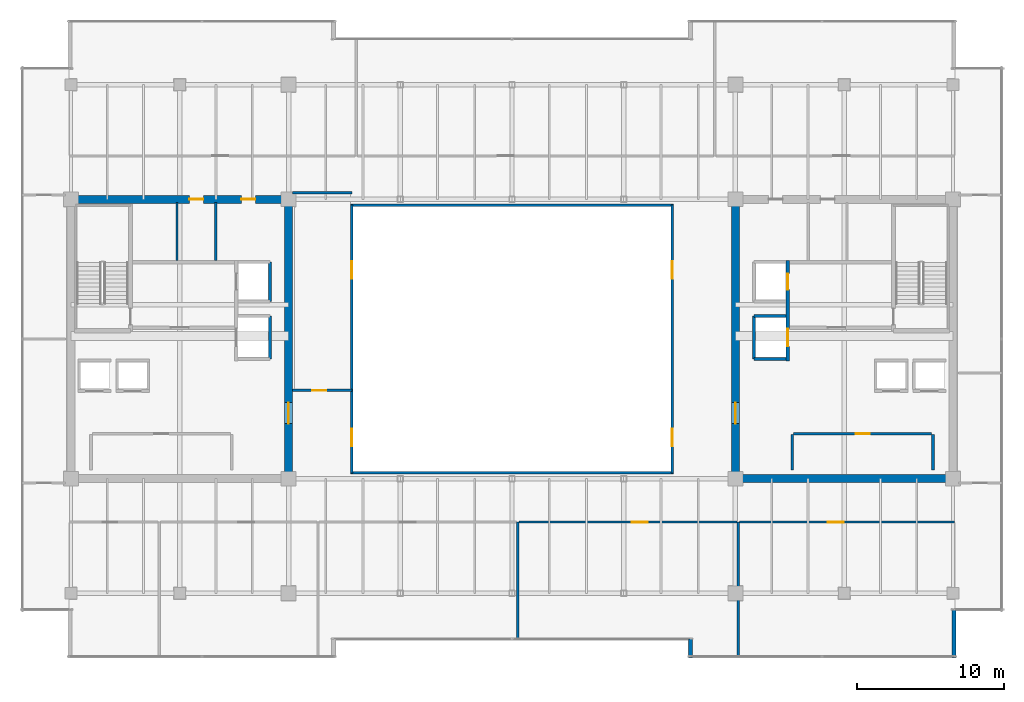
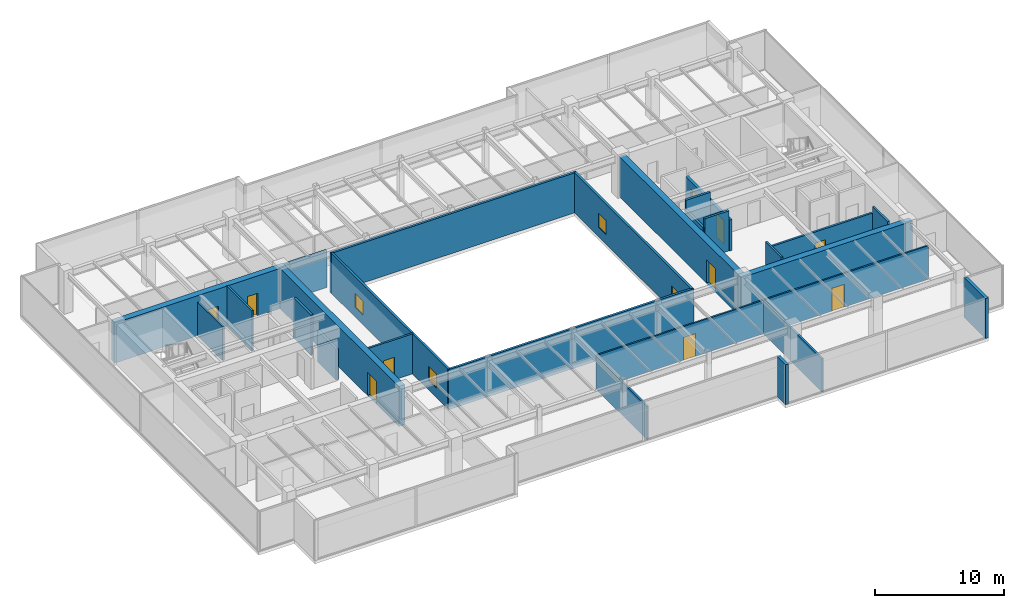
# One storey, part 29 of 36: 27 walls, 10 doors, 4 windows, 14 openings.
"""IFC4 building model written with IfcOpenShell, lengths in metres."""

from ifc_helpers import new_model, si_unit, direction, frame, frame_2d, origin, place, context, subcontext, project, spatial, rectangle, extrude, source, transform, mapped, material, layer, layer_set, type_object, type_shapes, element, fill, save


model = new_model("IFC4")

# Units and contexts
model_context = context("Model", 3, precision=1e-05, world=origin(), true_north=direction((0.0, 1.0)))
body_context = subcontext(model_context, "Body", "Model", "MODEL_VIEW")
ifc_project = project(units=[si_unit("LENGTHUNIT", "METRE"), si_unit("AREAUNIT", "SQUARE_METRE"), si_unit("VOLUMEUNIT", "CUBIC_METRE"), si_unit("PLANEANGLEUNIT", "RADIAN"), si_unit("MASSUNIT", "GRAM", prefix="KILO")], contexts=[model_context])

# Site, building, storey
site_placement = place(None, origin())
site = spatial("IfcSite", under=ifc_project, at=site_placement, CompositionType="ELEMENT")
building_placement = place(site_placement, origin())
building = spatial("IfcBuilding", under=site, at=building_placement, Name="Haelvirn Gate Laboratories", CompositionType="ELEMENT")
storey_placement = place(building_placement, frame((0.0, 0.0, 262.89990234375)))
storey = spatial("IfcBuildingStorey", under=building, at=storey_placement, Name="L63", CompositionType="ELEMENT", Elevation=262.89990234375)

# Walls
ifc_material_1 = material(Name="Thermally-broken bronze aluminium rainscreen & mineral wool", Category="aluminium")
ifc_layer_1 = layer(ifc_material_1, 0.280029296875, Name="EW-TERR-280")
ifc_layer_set_1 = layer_set([ifc_layer_1], Name="Thermally-broken bronze aluminium rainscreen & mineral wool")
wall_type_1 = type_object("IfcWallType", Name="EW-TERR-280", PredefinedType="STANDARD", material=ifc_layer_set_1)
wall_1_placement = place(storey_placement, frame((49.5400390625, 3.89306640625, 0.0), z_axis=(0.0, 0.0, 1.0), x_axis=(0.0, -1.0, 0.0)))
element("IfcWall", 1, at=wall_1_placement, inside=storey, type_object=wall_type_1, Name="L63 Atrium Recess Bronze Return Wall 03", PredefinedType="STANDARD", context=body_context, shape_type="SweptSolid", body=[
    extrude(rectangle(XDim=1.29296875, YDim=0.280029296875, at=frame_2d((0.646484375, 0.0))), origin(), (0.0, 0.0, 1.0), 3.800048828125),
])
wall_2_placement = place(storey_placement, frame((67.4599609375, 2.60009765625, 0.0), z_axis=(0.0, 0.0, 1.0), x_axis=(0.0, 1.0, 0.0)))
element("IfcWall", 2, at=wall_2_placement, inside=storey, type_object=wall_type_1, Name="L63 Atrium Recess Bronze Return Wall 05", PredefinedType="STANDARD", context=body_context, shape_type="SweptSolid", body=[
    extrude(rectangle(XDim=3.287841796875, YDim=0.280029296875, at=frame_2d((1.64404296875, 0.0))), origin(), (0.0, 0.0, 1.0), 3.800048828125),
])
ifc_material_2 = material(Name="Double-layer acoustic gypsum laboratory partition", Category="gypsum")
ifc_layer_2 = layer(ifc_material_2, 0.159912109375, Name="IW-ACOUST-160")
ifc_layer_set_2 = layer_set([ifc_layer_2], Name="Double-layer acoustic gypsum laboratory partition")
wall_type_2 = type_object("IfcWallType", Name="IW-ACOUST-160", PredefinedType="PARTITIONING", material=ifc_layer_set_2)
wall_3_placement = place(storey_placement, frame((37.800048828125, 3.909912109375, 0.0), z_axis=(0.0, 0.0, 1.0), x_axis=(0.0, 1.0, 0.0)))
element("IfcWall", 3, at=wall_3_placement, inside=storey, type_object=wall_type_2, Name="L63 Interior Wall IW-L63-SDIV-03", PredefinedType="PARTITIONING", context=body_context, shape_type="SweptSolid", body=[
    extrude(rectangle(XDim=7.93017578125, YDim=0.159912109375, at=frame_2d((3.965087890625, 0.0))), origin(), (0.0, 0.0, 1.0), 3.135009765625),
])
wall_4_placement = place(storey_placement, frame((52.800048828125, 2.7099609375, 0.0), z_axis=(0.0, 0.0, 1.0), x_axis=(0.0, 1.0, 0.0)))
element("IfcWall", 4, at=wall_4_placement, inside=storey, type_object=wall_type_2, Name="L63 Interior Wall IW-L63-SDIV-04", PredefinedType="PARTITIONING", context=body_context, shape_type="SweptSolid", body=[
    extrude(rectangle(XDim=9.130126953125, YDim=0.159912109375, at=frame_2d((4.56494140625, 0.0))), origin(), (0.0, 0.0, 1.0), 3.135009765625),
])
ifc_material_3 = material(Name="Fire-rated acoustic gypsum board partition", Category="gypsum")
ifc_layer_3 = layer(ifc_material_3, 0.175048828125, Name="IW-ACOUST-180")
ifc_layer_set_3 = layer_set([ifc_layer_3], Name="Fire-rated acoustic gypsum board partition")
wall_type_3 = type_object("IfcWallType", Name="IW-ACOUST-180", PredefinedType="PARTITIONING", material=ifc_layer_set_3)
wall_5_placement = place(storey_placement, frame((22.47509765625, 34.260009765625, 0.0), z_axis=(0.0, 0.0, 1.0), x_axis=(1.0, 0.0, 0.0)))
element("IfcWall", 5, at=wall_5_placement, inside=storey, type_object=wall_type_3, Name="L63 Interior Wall IW-L63-WPOD-N", PredefinedType="PARTITIONING", context=body_context, shape_type="SweptSolid", body=[
    extrude(rectangle(XDim=4.02490234375, YDim=0.175048828125, at=frame_2d((2.012451171875, 0.0))), origin(), (0.0, 0.0, 1.0), 3.53515625),
])

# Wall, opening, door
wall_6_placement = place(storey_placement, frame((22.47509765625, 20.800048828125, 0.0), z_axis=(0.0, 0.0, 1.0), x_axis=(1.0, 0.0, 0.0)))
wall_6 = element("IfcWall", 6, at=wall_6_placement, inside=storey, type_object=wall_type_3, Name="L63 Interior Wall IW-L63-WPOD-S", PredefinedType="PARTITIONING", context=body_context, shape_type="SweptSolid", body=[
    extrude(rectangle(XDim=4.02490234375, YDim=0.175048828125, at=frame_2d((2.012451171875, 0.0))), origin(), (0.0, 0.0, 1.0), 3.800048828125),
])
opening_1_placement = place(wall_6_placement, frame((1.35009765625, 0.0, 0.0)))
opening_1 = element("IfcOpeningElement", 7, at=opening_1_placement, cuts=wall_6, Name="Opening FD4", PredefinedType="OPENING", context=body_context, shape_type="SweptSolid", body=[
    extrude(rectangle(XDim=0.949951171875, YDim=2.14990234375, at=frame_2d((0.47509765625, 1.074951171875))), frame((0.0, 0.09765625, 0.0), z_axis=(0.0, -1.0, 0.0), x_axis=(1.0, 0.0, 0.0)), (0.0, 0.0, 1.0), 0.195068359375),
])
ifc_material_4 = material(Name="Fire-rated steel SM355 core service door", Category="steel")
door_type_1 = type_object("IfcDoorType", Name="DR-FD-950", OperationType="NOTDEFINED", PredefinedType="DOOR", material=ifc_material_4)
shared_shape_1 = source(origin(), body_context, "Body", "SweptSolid", [
    extrude(rectangle(XDim=0.949951171875, YDim=2.14990234375, at=frame_2d((0.47509765625, 1.074951171875))), frame((0.0, 0.02490234375, 0.0), z_axis=(0.0, -1.0, 0.0), x_axis=(1.0, 0.0, 0.0)), (0.0, 0.0, 1.0), 0.050048828125),
])
type_shapes(door_type_1, [shared_shape_1])
door_1_placement = place(opening_1_placement, origin())
door_1 = element("IfcDoor", 8, at=door_1_placement, inside=storey, type_object=door_type_1, Name="L63 High-Zone Computational Suite Door", OperationType="SINGLE_SWING_RIGHT", OverallHeight=2.14990234375, OverallWidth=0.949951171875, PredefinedType="DOOR", context=body_context, shape_type="MappedRepresentation", body=[
    mapped(shared_shape_1, transform((0.0, 0.0, 0.0), scale=1.0)),
])
fill(opening_1, door_1)

# Wall, openings, windows
ifc_material_5 = material(Name="Tempered fire-rated borosilicate glass & anodised aluminium", Category="aluminium")
ifc_layer_4 = layer(ifc_material_5, 0.195068359375, Name="IW-GLAZ-200")
ifc_layer_set_4 = layer_set([ifc_layer_4], Name="Tempered fire-rated borosilicate glass & anodised aluminium")
wall_type_4 = type_object("IfcWallType", Name="IW-GLAZ-200", PredefinedType="SOLIDWALL", material=ifc_layer_set_4)
wall_7_placement = place(storey_placement, frame((26.5, 15.199951171875, 0.0), z_axis=(0.0, 0.0, 1.0), x_axis=(0.0, 1.0, 0.0)))
wall_7 = element("IfcWall", 9, at=wall_7_placement, inside=storey, type_object=wall_type_4, Name="L63 Interior Wall IW-L63-ATRIUM-W", PredefinedType="SOLIDWALL", context=body_context, shape_type="SweptSolid", body=[
    extrude(rectangle(XDim=18.199951171875, YDim=0.195068359375, at=frame_2d((9.10009765625, 0.0))), origin(), (0.0, 0.0, 1.0), 3.800048828125),
])
opening_2_placement = place(wall_7_placement, frame((1.800048828125, 0.0, 0.89990234375)))
opening_2 = element("IfcOpeningElement", 10, at=opening_2_placement, cuts=wall_7, Name="Opening W6", PredefinedType="OPENING", context=body_context, shape_type="SweptSolid", body=[
    extrude(rectangle(XDim=1.199951171875, YDim=1.35009765625, at=frame_2d((0.60009765625, 0.675048828125))), frame((0.0, 0.107421875, 0.0), z_axis=(0.0, -1.0, 0.0), x_axis=(1.0, 0.0, 0.0)), (0.0, 0.0, 1.0), 0.215087890625),
])
opening_3_placement = place(wall_7_placement, frame((13.199951171875, 0.0, 0.89990234375)))
opening_3 = element("IfcOpeningElement", 11, at=opening_3_placement, cuts=wall_7, Name="Opening W6", PredefinedType="OPENING", context=body_context, shape_type="SweptSolid", body=[
    extrude(rectangle(XDim=1.199951171875, YDim=1.35009765625, at=frame_2d((0.60009765625, 0.675048828125))), frame((0.0, 0.107421875, 0.0), z_axis=(0.0, -1.0, 0.0), x_axis=(1.0, 0.0, 0.0)), (0.0, 0.0, 1.0), 0.215087890625),
])
ifc_material_6 = material(Name="Fire-rated EI 120 borosilicate atrium vision glazing", Category="glass")
window_type = type_object("IfcWindowType", Name="WN-ATR-1200", PartitioningType="SINGLE_PANEL", PredefinedType="WINDOW", material=ifc_material_6)
shared_shape_2 = source(origin(), body_context, "Body", "SweptSolid", [
    extrude(rectangle(XDim=1.199951171875, YDim=1.35009765625, at=frame_2d((0.60009765625, 0.675048828125))), frame((0.0, 0.030029296875, 0.0), z_axis=(0.0, -1.0, 0.0), x_axis=(1.0, 0.0, 0.0)), (0.0, 0.0, 1.0), 0.06005859375),
])
type_shapes(window_type, [shared_shape_2])
window_1_placement = place(opening_2_placement, origin())
window_1 = element("IfcWindow", 12, at=window_1_placement, inside=storey, type_object=window_type, Name="L63 Atrium Observation Window 1", OverallHeight=1.35009765625, OverallWidth=1.199951171875, PartitioningType="SINGLE_PANEL", PredefinedType="WINDOW", context=body_context, shape_type="MappedRepresentation", body=[
    mapped(shared_shape_2, transform((0.0, 0.0, 0.0), scale=1.0)),
])
fill(opening_2, window_1)
window_2_placement = place(opening_3_placement, origin())
window_2 = element("IfcWindow", 13, at=window_2_placement, inside=storey, type_object=window_type, Name="L63 Atrium Observation Window 2", OverallHeight=1.35009765625, OverallWidth=1.199951171875, PartitioningType="SINGLE_PANEL", PredefinedType="WINDOW", context=body_context, shape_type="MappedRepresentation", body=[
    mapped(shared_shape_2, transform((0.0, 0.0, 0.0), scale=1.0)),
])
fill(opening_3, window_2)

wall_8_placement = place(storey_placement, frame((48.300048828125, 15.199951171875, 0.0), z_axis=(0.0, 0.0, 1.0), x_axis=(0.0, 1.0, 0.0)))
wall_8 = element("IfcWall", 14, at=wall_8_placement, inside=storey, type_object=wall_type_4, Name="L63 Interior Wall IW-L63-ATRIUM-E", PredefinedType="SOLIDWALL", context=body_context, shape_type="SweptSolid", body=[
    extrude(rectangle(XDim=18.199951171875, YDim=0.195068359375, at=frame_2d((9.10009765625, 0.0))), origin(), (0.0, 0.0, 1.0), 3.800048828125),
])
opening_4_placement = place(wall_8_placement, frame((1.800048828125, 0.0, 0.89990234375)))
opening_4 = element("IfcOpeningElement", 15, at=opening_4_placement, cuts=wall_8, Name="Opening W6", PredefinedType="OPENING", context=body_context, shape_type="SweptSolid", body=[
    extrude(rectangle(XDim=1.199951171875, YDim=1.35009765625, at=frame_2d((0.60009765625, 0.675048828125))), frame((0.0, 0.107421875, 0.0), z_axis=(0.0, -1.0, 0.0), x_axis=(1.0, 0.0, 0.0)), (0.0, 0.0, 1.0), 0.215087890625),
])
opening_5_placement = place(wall_8_placement, frame((13.199951171875, 0.0, 0.89990234375)))
opening_5 = element("IfcOpeningElement", 16, at=opening_5_placement, cuts=wall_8, Name="Opening W6", PredefinedType="OPENING", context=body_context, shape_type="SweptSolid", body=[
    extrude(rectangle(XDim=1.199951171875, YDim=1.35009765625, at=frame_2d((0.60009765625, 0.675048828125))), frame((0.0, 0.107421875, 0.0), z_axis=(0.0, -1.0, 0.0), x_axis=(1.0, 0.0, 0.0)), (0.0, 0.0, 1.0), 0.215087890625),
])
window_3_placement = place(opening_4_placement, origin())
window_3 = element("IfcWindow", 17, at=window_3_placement, inside=storey, type_object=window_type, Name="L63 Atrium Observation Window 1", OverallHeight=1.35009765625, OverallWidth=1.199951171875, PartitioningType="SINGLE_PANEL", PredefinedType="WINDOW", context=body_context, shape_type="MappedRepresentation", body=[
    mapped(shared_shape_2, transform((0.0, 0.0, 0.0), scale=1.0)),
])
fill(opening_4, window_3)
window_4_placement = place(opening_5_placement, origin())
window_4 = element("IfcWindow", 18, at=window_4_placement, inside=storey, type_object=window_type, Name="L63 Atrium Observation Window 2", OverallHeight=1.35009765625, OverallWidth=1.199951171875, PartitioningType="SINGLE_PANEL", PredefinedType="WINDOW", context=body_context, shape_type="MappedRepresentation", body=[
    mapped(shared_shape_2, transform((0.0, 0.0, 0.0), scale=1.0)),
])
fill(opening_5, window_4)

# Walls
for number, where, z_axis, x_axis, name in (
    (19, (26.39990234375, 15.199951171875, 0.0), (0.0, 0.0, 1.0), (1.0, 0.0, 0.0), "L63 Interior Wall IW-L63-ATRIUM-S"),
    (20, (26.39990234375, 33.39990234375, 0.0), (0.0, 0.0, 1.0), (1.0, 0.0, 0.0), "L63 Interior Wall IW-L63-ATRIUM-N"),
):
    element("IfcWall", number, at=place(storey_placement, frame(where, z_axis=z_axis, x_axis=x_axis)), inside=storey, type_object=wall_type_4, Name=name, PredefinedType="SOLIDWALL", context=body_context, shape_type="SweptSolid", body=[
        extrude(rectangle(XDim=22.0, YDim=0.195068359375, at=frame_2d((11.0, 0.0))), origin(), (0.0, 0.0, 1.0), 3.800048828125),
    ])

# Wall, opening, door
ifc_material_7 = material(Name="Acoustic mineral-wool gypsum board partition", Category="gypsum")
ifc_layer_5 = layer(ifc_material_7, 0.139892578125, Name="IW-PART-140")
ifc_layer_set_5 = layer_set([ifc_layer_5], Name="Acoustic mineral-wool gypsum board partition")
wall_type_5 = type_object("IfcWallType", Name="IW-PART-140", PredefinedType="PARTITIONING", material=ifc_layer_set_5)
wall_9_placement = place(storey_placement, frame((37.8798828125, 11.840087890625, 0.0), z_axis=(0.0, 0.0, 1.0), x_axis=(1.0, 0.0, 0.0)))
wall_9 = element("IfcWall", 21, at=wall_9_placement, inside=storey, type_object=wall_type_5, Name="L63 Interior Wall IW-L63-SCORR-04", PredefinedType="PARTITIONING", context=body_context, shape_type="SweptSolid", body=[
    extrude(rectangle(XDim=14.840087890625, YDim=0.139892578125, at=frame_2d((7.419921875, 0.0))), origin(), (0.0, 0.0, 1.0), 3.197021484375),
])
opening_6_placement = place(wall_9_placement, frame((7.65234375, 0.0, 0.0)))
opening_6 = element("IfcOpeningElement", 22, at=opening_6_placement, cuts=wall_9, Name="Opening D1", PredefinedType="OPENING", context=body_context, shape_type="SweptSolid", body=[
    extrude(rectangle(XDim=1.10009765625, YDim=2.179931640625, at=frame_2d((0.550048828125, 1.08984375))), frame((0.0, 0.080078125, 0.0), z_axis=(0.0, -1.0, 0.0), x_axis=(1.0, 0.0, 0.0)), (0.0, 0.0, 1.0), 0.159912109375),
])
ifc_material_8 = material(Name="Vision-panel acoustic solid-core timber lab door", Category="wood")
door_type_2 = type_object("IfcDoorType", Name="DR-LAB-1100", OperationType="NOTDEFINED", PredefinedType="DOOR", material=ifc_material_8)
shared_shape_3 = source(origin(), body_context, "Body", "SweptSolid", [
    extrude(rectangle(XDim=1.10009765625, YDim=2.179931640625, at=frame_2d((0.550048828125, 1.08984375))), frame((0.0, 0.02490234375, 0.0), z_axis=(0.0, -1.0, 0.0), x_axis=(1.0, 0.0, 0.0)), (0.0, 0.0, 1.0), 0.050048828125),
])
type_shapes(door_type_2, [shared_shape_3])
door_2_placement = place(opening_6_placement, origin())
door_2 = element("IfcDoor", 23, at=door_2_placement, inside=storey, type_object=door_type_2, Name="L63 Instrumentation Prototyping Workshop Door S4", OperationType="SINGLE_SWING_LEFT", OverallHeight=2.179931640625, OverallWidth=1.10009765625, PredefinedType="DOOR", context=body_context, shape_type="MappedRepresentation", body=[
    mapped(shared_shape_3, transform((0.0, 0.0, 0.0), scale=1.0)),
])
fill(opening_6, door_2)

wall_10_placement = place(storey_placement, frame((52.8798828125, 11.840087890625, 0.0), z_axis=(0.0, 0.0, 1.0), x_axis=(1.0, 0.0, 0.0)))
wall_10 = element("IfcWall", 24, at=wall_10_placement, inside=storey, type_object=wall_type_5, Name="L63 Interior Wall IW-L63-SCORR-05", PredefinedType="PARTITIONING", context=body_context, shape_type="SweptSolid", body=[
    extrude(rectangle(XDim=14.610107421875, YDim=0.139892578125, at=frame_2d((7.30517578125, 0.0))), origin(), (0.0, 0.0, 1.0), 3.197021484375),
])
opening_7_placement = place(wall_10_placement, frame((5.986328125, 0.0, 0.0)))
opening_7 = element("IfcOpeningElement", 25, at=opening_7_placement, cuts=wall_10, Name="Opening D1", PredefinedType="OPENING", context=body_context, shape_type="SweptSolid", body=[
    extrude(rectangle(XDim=1.10009765625, YDim=2.179931640625, at=frame_2d((0.550048828125, 1.08984375))), frame((0.0, 0.080078125, 0.0), z_axis=(0.0, -1.0, 0.0), x_axis=(1.0, 0.0, 0.0)), (0.0, 0.0, 1.0), 0.159912109375),
])
door_3_placement = place(opening_7_placement, origin())
door_3 = element("IfcDoor", 26, at=door_3_placement, inside=storey, type_object=door_type_2, Name="L63 Researcher Break Pantry Door S5", OperationType="SINGLE_SWING_RIGHT", OverallHeight=2.179931640625, OverallWidth=1.10009765625, PredefinedType="DOOR", context=body_context, shape_type="MappedRepresentation", body=[
    mapped(shared_shape_3, transform((0.0, 0.0, 0.0), scale=1.0)),
])
fill(opening_7, door_3)

# Walls
ifc_material_9 = material(Name="Cement-board restroom plumbing chase wall", Category="gypsum")
ifc_layer_6 = layer(ifc_material_9, 0.155029296875, Name="IW-PLUMB-160")
ifc_layer_set_6 = layer_set([ifc_layer_6], Name="Cement-board restroom plumbing chase wall")
wall_type_6 = type_object("IfcWallType", Name="IW-PLUMB-160", PredefinedType="PLUMBINGWALL", material=ifc_layer_set_6)
wall_11_placement = place(storey_placement, frame((14.610107421875, 29.64990234375, 0.0), z_axis=(0.0, 0.0, 1.0), x_axis=(0.0, 1.0, 0.0)))
element("IfcWall", 27, at=wall_11_placement, inside=storey, type_object=wall_type_6, Name="L63 Interior Wall IW-L63-W-CDIV-0", PredefinedType="PLUMBINGWALL", context=body_context, shape_type="SweptSolid", body=[
    extrude(rectangle(XDim=3.93017578125, YDim=0.155029296875, at=frame_2d((1.965087890625, 0.0))), origin(), (0.0, 0.0, 1.0), 3.197021484375),
])
wall_12_placement = place(storey_placement, frame((17.239990234375, 29.64990234375, 0.0), z_axis=(0.0, 0.0, 1.0), x_axis=(0.0, 1.0, 0.0)))
element("IfcWall", 28, at=wall_12_placement, inside=storey, type_object=wall_type_6, Name="L63 Interior Wall IW-L63-W-CDIV-1", PredefinedType="PLUMBINGWALL", context=body_context, shape_type="SweptSolid", body=[
    extrude(rectangle(XDim=3.93017578125, YDim=0.155029296875, at=frame_2d((1.965087890625, 0.0))), origin(), (0.0, 0.0, 1.0), 3.800048828125),
])

# Wall, opening, door
ifc_material_10 = material(Name="Concrete C40/50", Category="concrete")
ifc_layer_7 = layer(ifc_material_10, 0.179931640625, Name="IW-SHAFT-180")
ifc_layer_set_7 = layer_set([ifc_layer_7], Name="Concrete C40/50")
wall_type_7 = type_object("IfcWallType", Name="IW-SHAFT-180", PredefinedType="SOLIDWALL", material=ifc_layer_set_7)
wall_13_placement = place(storey_placement, frame((56.550048828125, 17.85009765625, 0.0), z_axis=(0.0, 0.0, 1.0), x_axis=(1.0, 0.0, 0.0)))
wall_13 = element("IfcWall", 29, at=wall_13_placement, inside=storey, type_object=wall_type_7, Name="L63 Interior Wall IW-L63-E-FREED-HN-1", PredefinedType="SOLIDWALL", context=body_context, shape_type="SweptSolid", body=[
    extrude(rectangle(XDim=9.39990234375, YDim=0.179931640625, at=frame_2d((4.699951171875, 0.0))), origin(), (0.0, 0.0, 1.0), 3.197021484375),
])
opening_8_placement = place(wall_13_placement, frame((4.22509765625, 0.0, 0.0)))
opening_8 = element("IfcOpeningElement", 30, at=opening_8_placement, cuts=wall_13, Name="Opening FD4", PredefinedType="OPENING", context=body_context, shape_type="SweptSolid", body=[
    extrude(rectangle(XDim=0.949951171875, YDim=2.14990234375, at=frame_2d((0.47509765625, 1.074951171875))), frame((0.0, 0.10009765625, 0.0), z_axis=(0.0, -1.0, 0.0), x_axis=(1.0, 0.0, 0.0)), (0.0, 0.0, 1.0), 0.199951171875),
])
door_4_placement = place(opening_8_placement, origin())
door_4 = element("IfcDoor", 31, at=door_4_placement, inside=storey, type_object=door_type_1, Name="L63 Core Metrology & Calibration Laboratory Door", OperationType="SINGLE_SWING_LEFT", OverallHeight=2.14990234375, OverallWidth=0.949951171875, PredefinedType="DOOR", context=body_context, shape_type="MappedRepresentation", body=[
    mapped(shared_shape_1, transform((0.0, 0.0, 0.0), scale=1.0)),
])
fill(opening_8, door_4)

# Walls
for number, where, z_axis, x_axis, name in (
    (32, (56.4599609375, 15.39990234375, 0.0), (0.0, 0.0, 1.0), (0.0, 1.0, 0.0), "L63 Interior Wall IW-L63-E-FREED-HE-1"),
    (33, (66.0400390625, 15.39990234375, 0.0), (0.0, 0.0, 1.0), (0.0, 1.0, 0.0), "L63 Interior Wall IW-L63-E-FREED-HW-1"),
):
    element("IfcWall", number, at=place(storey_placement, frame(where, z_axis=z_axis, x_axis=x_axis)), inside=storey, type_object=wall_type_7, Name=name, PredefinedType="SOLIDWALL", context=body_context, shape_type="SweptSolid", body=[
        extrude(rectangle(XDim=2.400146484375, YDim=0.179931640625, at=frame_2d((1.2001953125, 0.0))), origin(), (0.0, 0.0, 1.0), 3.800048828125),
    ])
ifc_layer_8 = layer(ifc_material_10, 0.199951171875, Name="IW-SHAFT-200")
ifc_layer_set_8 = layer_set([ifc_layer_8], Name="Concrete C40/50")
wall_type_8 = type_object("IfcWallType", Name="IW-SHAFT-200", PredefinedType="SOLIDWALL", material=ifc_layer_set_8)
wall_14_placement = place(storey_placement, frame((20.949951171875, 26.85009765625, 0.0), z_axis=(0.0, 0.0, 1.0), x_axis=(0.0, 1.0, 0.0)))
element("IfcWall", 34, at=wall_14_placement, inside=storey, type_object=wall_type_8, Name="L63 Interior Wall IW-L63-FL1-BK", PredefinedType="SOLIDWALL", context=body_context, shape_type="SweptSolid", body=[
    extrude(rectangle(XDim=2.699951171875, YDim=0.199951171875, at=frame_2d((1.35009765625, 0.0))), origin(), (0.0, 0.0, 1.0), 3.800048828125),
])
for number, where, z_axis, x_axis, name in (
    (35, (20.949951171875, 22.949951171875, 0.0), (0.0, 0.0, 1.0), (0.0, 1.0, 0.0), "L63 Interior Wall IW-L63-SL1-BK"),
    (36, (53.85009765625, 22.949951171875, 0.0), (0.0, 0.0, 1.0), (0.0, 1.0, 0.0), "L63 Interior Wall IW-L63-SL2-BK"),
):
    element("IfcWall", number, at=place(storey_placement, frame(where, z_axis=z_axis, x_axis=x_axis)), inside=storey, type_object=wall_type_8, Name=name, PredefinedType="SOLIDWALL", context=body_context, shape_type="SweptSolid", body=[
        extrude(rectangle(XDim=2.900146484375, YDim=0.199951171875, at=frame_2d((1.4501953125, 0.0))), origin(), (0.0, 0.0, 1.0), 2.93505859375),
    ])
for number, where, z_axis, x_axis, name in (
    (37, (53.85009765625, 25.85009765625, 0.0), (0.0, 0.0, 1.0), (1.0, 0.0, 0.0), "L63 Interior Wall IW-L63-SL2-N"),
    (38, (53.85009765625, 22.949951171875, 0.0), (0.0, 0.0, 1.0), (1.0, 0.0, 0.0), "L63 Interior Wall IW-L63-SL2-S"),
):
    element("IfcWall", number, at=place(storey_placement, frame(where, z_axis=z_axis, x_axis=x_axis)), inside=storey, type_object=wall_type_8, Name=name, PredefinedType="SOLIDWALL", context=body_context, shape_type="SweptSolid", body=[
        extrude(rectangle(XDim=2.18994140625, YDim=0.199951171875, at=frame_2d((1.094970703125, 0.0))), origin(), (0.0, 0.0, 1.0), 3.800048828125),
    ])

# Wall, openings, doors
ifc_layer_9 = layer(ifc_material_10, 0.239990234375, Name="IW-SHAFT-240")
ifc_layer_set_9 = layer_set([ifc_layer_9], Name="Concrete C40/50")
wall_type_9 = type_object("IfcWallType", Name="IW-SHAFT-240", PredefinedType="SOLIDWALL", material=ifc_layer_set_9)
wall_15_placement = place(storey_placement, frame((56.159912109375, 22.800048828125, 0.0), z_axis=(0.0, 0.0, 1.0), x_axis=(0.0, 1.0, 0.0)))
wall_15 = element("IfcWall", 39, at=wall_15_placement, inside=storey, type_object=wall_type_9, Name="L63 Interior Wall IW-L63-E-FF-E", PredefinedType="SOLIDWALL", context=body_context, shape_type="SweptSolid", body=[
    extrude(rectangle(XDim=6.849853515625, YDim=0.239990234375, at=frame_2d((3.4248046875, 0.0))), origin(), (0.0, 0.0, 1.0), 2.93505859375),
])
opening_9_placement = place(wall_15_placement, frame((4.85009765625, 0.0, 0.0)))
opening_9 = element("IfcOpeningElement", 40, at=opening_9_placement, cuts=wall_15, Name="Opening LD2", PredefinedType="OPENING", context=body_context, shape_type="SweptSolid", body=[
    extrude(rectangle(XDim=1.10009765625, YDim=2.219970703125, at=frame_2d((0.550048828125, 1.10986328125))), frame((0.0, 0.1298828125, 0.0), z_axis=(0.0, -1.0, 0.0), x_axis=(1.0, 0.0, 0.0)), (0.0, 0.0, 1.0), 0.260009765625),
])
opening_10_placement = place(wall_15_placement, frame((1.0, 0.0, 0.0)))
opening_10 = element("IfcOpeningElement", 41, at=opening_10_placement, cuts=wall_15, Name="Opening LD1", PredefinedType="OPENING", context=body_context, shape_type="SweptSolid", body=[
    extrude(rectangle(XDim=1.199951171875, YDim=2.219970703125, at=frame_2d((0.60009765625, 1.10986328125))), frame((0.0, 0.1298828125, 0.0), z_axis=(0.0, -1.0, 0.0), x_axis=(1.0, 0.0, 0.0)), (0.0, 0.0, 1.0), 0.260009765625),
])
ifc_material_11 = material(Name="Bronze stainless 316L sliding lift landing door")
door_type_3 = type_object("IfcDoorType", Name="DR-LD-1100", OperationType="NOTDEFINED", PredefinedType="USERDEFINED", material=ifc_material_11)
shared_shape_4 = source(origin(), body_context, "Body", "SweptSolid", [
    extrude(rectangle(XDim=1.10009765625, YDim=2.219970703125, at=frame_2d((0.550048828125, 1.10986328125))), frame((0.0, 0.02490234375, 0.0), z_axis=(0.0, -1.0, 0.0), x_axis=(1.0, 0.0, 0.0)), (0.0, 0.0, 1.0), 0.050048828125),
])
type_shapes(door_type_3, [shared_shape_4])
door_5_placement = place(opening_9_placement, origin())
door_5 = element("IfcDoor", 42, at=door_5_placement, inside=storey, type_object=door_type_3, Name="L63 Firefighting Lift FL2 Landing Door", ObjectType="LANDING_DOOR", OperationType="SLIDING_TO_RIGHT", OverallHeight=2.219970703125, OverallWidth=1.10009765625, PredefinedType="USERDEFINED", context=body_context, shape_type="MappedRepresentation", body=[
    mapped(shared_shape_4, transform((0.0, 0.0, 0.0), scale=1.0)),
])
fill(opening_9, door_5)
ifc_material_12 = material(Name="Stainless steel 316L sliding goods landing door", Category="steel")
door_type_4 = type_object("IfcDoorType", Name="DR-LD-1200", OperationType="NOTDEFINED", PredefinedType="USERDEFINED", material=ifc_material_12)
shared_shape_5 = source(origin(), body_context, "Body", "SweptSolid", [
    extrude(rectangle(XDim=1.199951171875, YDim=2.219970703125, at=frame_2d((0.60009765625, 1.10986328125))), frame((0.0, 0.02490234375, 0.0), z_axis=(0.0, -1.0, 0.0), x_axis=(1.0, 0.0, 0.0)), (0.0, 0.0, 1.0), 0.050048828125),
])
type_shapes(door_type_4, [shared_shape_5])
door_6_placement = place(opening_10_placement, origin())
door_6 = element("IfcDoor", 43, at=door_6_placement, inside=storey, type_object=door_type_4, Name="L63 Service Lift SL2 Landing Door", ObjectType="LANDING_DOOR", OperationType="SLIDING_TO_LEFT", OverallHeight=2.219970703125, OverallWidth=1.199951171875, PredefinedType="USERDEFINED", context=body_context, shape_type="MappedRepresentation", body=[
    mapped(shared_shape_5, transform((0.0, 0.0, 0.0), scale=1.0)),
])
fill(opening_10, door_6)

ifc_material_13 = material(Name="Concrete C50/60", Category="concrete")
ifc_layer_10 = layer(ifc_material_13, 0.550048828125, Name="SW-CORE-550")
ifc_layer_set_10 = layer_set([ifc_layer_10], Name="Concrete C50/60")
wall_type_10 = type_object("IfcWallType", Name="SW-CORE-550", PredefinedType="SHEAR", material=ifc_layer_set_10)
wall_16_placement = place(storey_placement, frame((7.125, 33.800048828125, 0.0), z_axis=(0.0, 0.0, 1.0), x_axis=(1.0, 0.0, 0.0)))
wall_16 = element("IfcWall", 44, at=wall_16_placement, inside=storey, type_object=wall_type_10, Name="L63 W Core Shear Wall N", PredefinedType="SHEAR", context=body_context, shape_type="SweptSolid", body=[
    extrude(rectangle(XDim=15.35009765625, YDim=0.550048828125, at=frame_2d((7.675048828125, 0.0))), origin(), (0.0, 0.0, 1.0), 3.800048828125),
])
opening_11_placement = place(wall_16_placement, frame((8.324951171875, 0.0, 0.0)))
opening_11 = element("IfcOpeningElement", 45, at=opening_11_placement, cuts=wall_16, Name="Opening FD4", PredefinedType="OPENING", context=body_context, shape_type="SweptSolid", body=[
    extrude(rectangle(XDim=0.949951171875, YDim=2.14990234375, at=frame_2d((0.47509765625, 1.074951171875))), frame((0.0, 0.28515625, 0.0), z_axis=(0.0, -1.0, 0.0), x_axis=(1.0, 0.0, 0.0)), (0.0, 0.0, 1.0), 0.570068359375),
])
opening_12_placement = place(wall_16_placement, frame((11.864990234375, 0.0, 0.0)))
opening_12 = element("IfcOpeningElement", 46, at=opening_12_placement, cuts=wall_16, Name="Opening FD4", PredefinedType="OPENING", context=body_context, shape_type="SweptSolid", body=[
    extrude(rectangle(XDim=0.949951171875, YDim=2.14990234375, at=frame_2d((0.47509765625, 1.074951171875))), frame((0.0, 0.28515625, 0.0), z_axis=(0.0, -1.0, 0.0), x_axis=(1.0, 0.0, 0.0)), (0.0, 0.0, 1.0), 0.570068359375),
])
door_7_placement = place(opening_11_placement, origin())
door_7 = element("IfcDoor", 47, at=door_7_placement, inside=storey, type_object=door_type_1, Name="L63 Accessible Restroom Fire Door", OperationType="SINGLE_SWING_RIGHT", OverallHeight=2.14990234375, OverallWidth=0.949951171875, PredefinedType="DOOR", context=body_context, shape_type="MappedRepresentation", body=[
    mapped(shared_shape_1, transform((0.0, 0.0, 0.0), scale=1.0)),
])
fill(opening_11, door_7)
door_8_placement = place(opening_12_placement, origin())
door_8 = element("IfcDoor", 48, at=door_8_placement, inside=storey, type_object=door_type_1, Name="L63 Staff Restroom Fire Door", OperationType="SINGLE_SWING_LEFT", OverallHeight=2.14990234375, OverallWidth=0.949951171875, PredefinedType="DOOR", context=body_context, shape_type="MappedRepresentation", body=[
    mapped(shared_shape_1, transform((0.0, 0.0, 0.0), scale=1.0)),
])
fill(opening_12, door_8)

# Wall, opening, door
wall_17_placement = place(storey_placement, frame((22.199951171875, 15.074951171875, 0.0), z_axis=(0.0, 0.0, 1.0), x_axis=(0.0, 1.0, 0.0)))
wall_17 = element("IfcWall", 49, at=wall_17_placement, inside=storey, type_object=wall_type_10, Name="L63 W Core Shear Wall E", PredefinedType="SHEAR", context=body_context, shape_type="SweptSolid", body=[
    extrude(rectangle(XDim=18.449951171875, YDim=0.550048828125, at=frame_2d((9.22509765625, 0.0))), origin(), (0.0, 0.0, 1.0), 3.800048828125),
])
opening_13_placement = place(wall_17_placement, frame((3.47509765625, 0.0, 0.0)))
opening_13 = element("IfcOpeningElement", 50, at=opening_13_placement, cuts=wall_17, Name="Opening FD1", PredefinedType="OPENING", context=body_context, shape_type="SweptSolid", body=[
    extrude(rectangle(XDim=1.419921875, YDim=2.199951171875, at=frame_2d((0.7099609375, 1.10009765625))), frame((0.0, 0.28515625, 0.0), z_axis=(0.0, -1.0, 0.0), x_axis=(1.0, 0.0, 0.0)), (0.0, 0.0, 1.0), 0.570068359375),
])
ifc_material_14 = material(Name="Fire-rated double steel SM355 lobby door", Category="steel")
door_type_5 = type_object("IfcDoorType", Name="DR-FD-1400", OperationType="NOTDEFINED", PredefinedType="DOOR", material=ifc_material_14)
shared_shape_6 = source(origin(), body_context, "Body", "SweptSolid", [
    extrude(rectangle(XDim=1.419921875, YDim=2.199951171875, at=frame_2d((0.7099609375, 1.10009765625))), frame((0.0, 0.02490234375, 0.0), z_axis=(0.0, -1.0, 0.0), x_axis=(1.0, 0.0, 0.0)), (0.0, 0.0, 1.0), 0.050048828125),
])
type_shapes(door_type_5, [shared_shape_6])
door_9_placement = place(opening_13_placement, origin())
door_9 = element("IfcDoor", 51, at=door_9_placement, inside=storey, type_object=door_type_5, Name="L63 West Core Lift Lobby Fire Door", OperationType="DOUBLE_DOOR_SINGLE_SWING", OverallHeight=2.199951171875, OverallWidth=1.419921875, PredefinedType="DOOR", context=body_context, shape_type="MappedRepresentation", body=[
    mapped(shared_shape_6, transform((0.0, 0.0, 0.0), scale=1.0)),
])
fill(opening_13, door_9)

# Wall
wall_18_placement = place(storey_placement, frame((52.324951171875, 14.800048828125, 0.0), z_axis=(0.0, 0.0, 1.0), x_axis=(1.0, 0.0, 0.0)))
element("IfcWall", 52, at=wall_18_placement, inside=storey, type_object=wall_type_10, Name="L63 E Core Shear Wall S", PredefinedType="SHEAR", context=body_context, shape_type="SweptSolid", body=[
    extrude(rectangle(XDim=15.35009765625, YDim=0.550048828125, at=frame_2d((7.675048828125, 0.0))), origin(), (0.0, 0.0, 1.0), 3.800048828125),
])

# Wall, opening, door
wall_19_placement = place(storey_placement, frame((52.60009765625, 15.074951171875, 0.0), z_axis=(0.0, 0.0, 1.0), x_axis=(0.0, 1.0, 0.0)))
wall_19 = element("IfcWall", 53, at=wall_19_placement, inside=storey, type_object=wall_type_10, Name="L63 E Core Shear Wall W", PredefinedType="SHEAR", context=body_context, shape_type="SweptSolid", body=[
    extrude(rectangle(XDim=18.449951171875, YDim=0.550048828125, at=frame_2d((9.22509765625, 0.0))), origin(), (0.0, 0.0, 1.0), 3.800048828125),
])
opening_14_placement = place(wall_19_placement, frame((3.47509765625, 0.0, 0.0)))
opening_14 = element("IfcOpeningElement", 54, at=opening_14_placement, cuts=wall_19, Name="Opening FD1", PredefinedType="OPENING", context=body_context, shape_type="SweptSolid", body=[
    extrude(rectangle(XDim=1.419921875, YDim=2.199951171875, at=frame_2d((0.7099609375, 1.10009765625))), frame((0.0, 0.28515625, 0.0), z_axis=(0.0, -1.0, 0.0), x_axis=(1.0, 0.0, 0.0)), (0.0, 0.0, 1.0), 0.570068359375),
])
door_10_placement = place(opening_14_placement, origin())
door_10 = element("IfcDoor", 55, at=door_10_placement, inside=storey, type_object=door_type_5, Name="L63 East Core Lift Lobby Fire Door", OperationType="DOUBLE_DOOR_SINGLE_SWING", OverallHeight=2.199951171875, OverallWidth=1.419921875, PredefinedType="DOOR", context=body_context, shape_type="MappedRepresentation", body=[
    mapped(shared_shape_6, transform((0.0, 0.0, 0.0), scale=1.0)),
])
fill(opening_14, door_10)

save(model, "model.ifc")
